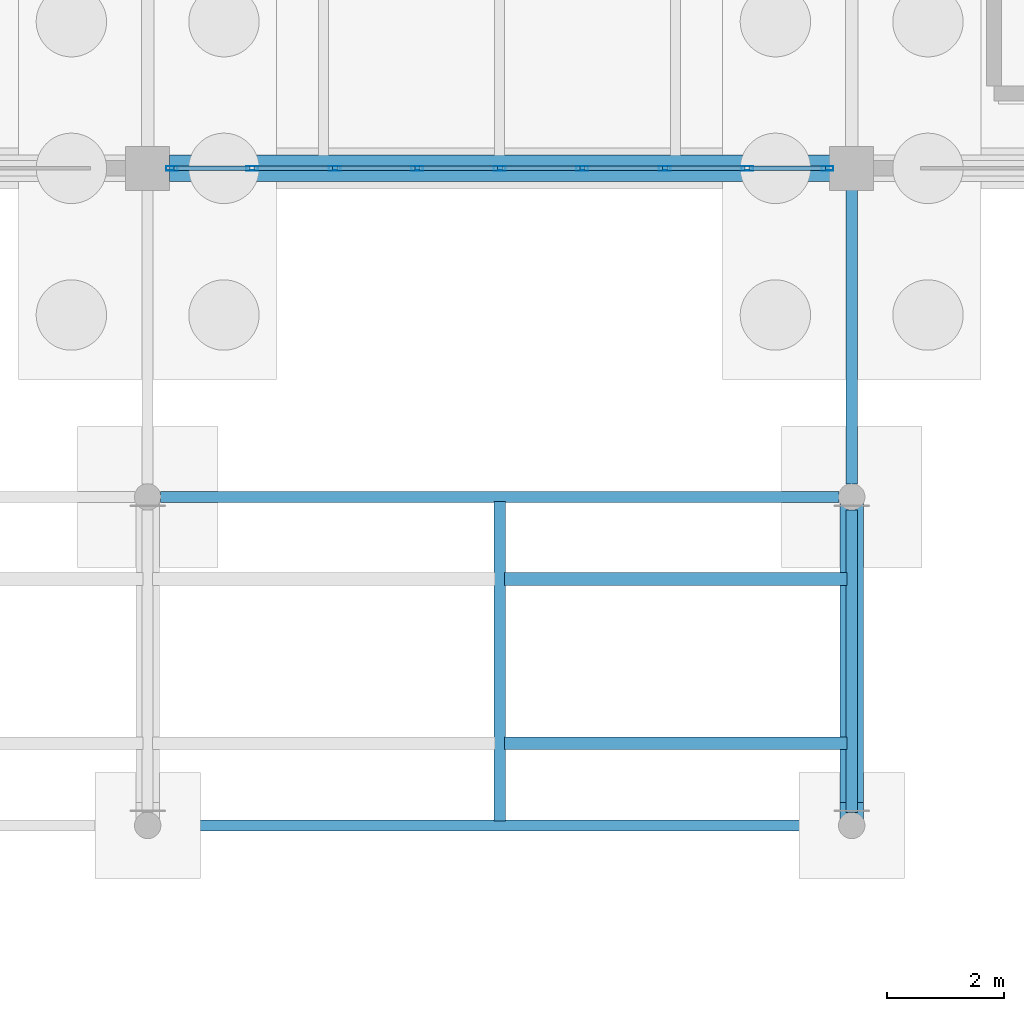
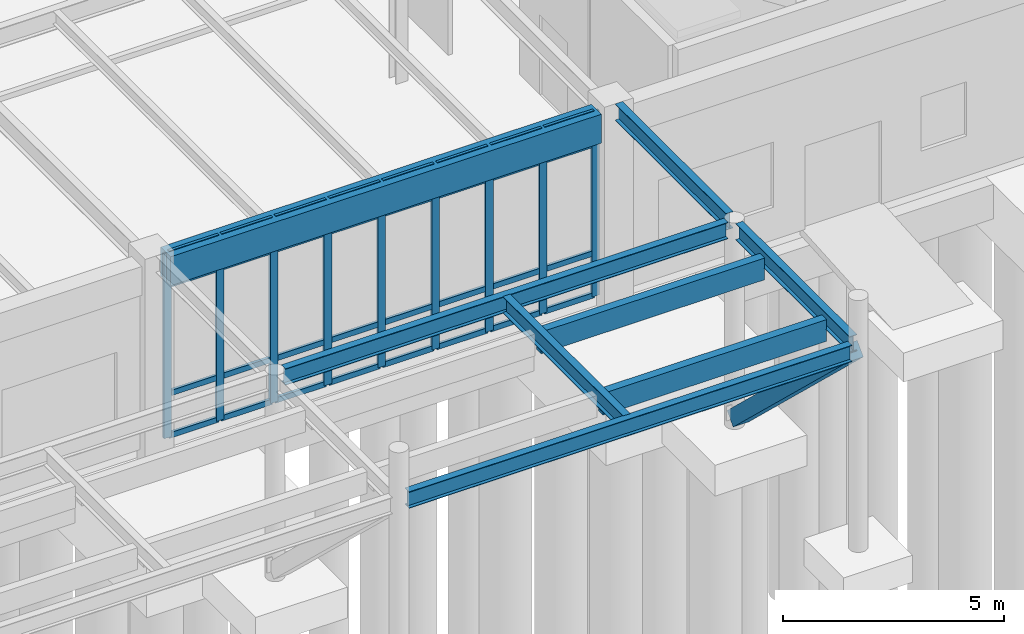
# One storey, part 60 of 188: 44 members, 6 beams, 1 element without a shape of its own.
"""IFC4 building model written with IfcOpenShell, lengths in metres."""

from ifc_helpers import new_model, si_unit, direction, frame, origin, origin_2d, place, context, subcontext, project, spatial, rectangle, hollow_rectangle, i_section, extrude, material, layer, layer_set, material_profile, profile_set, type_object, element, aggregate, save


model = new_model("IFC4")

# Units and contexts
model_context = context("Model", 3, precision=1e-05, world=origin(), true_north=direction((0.0, 1.0)))
body_context = subcontext(model_context, "Body", "Model", "MODEL_VIEW")
ifc_project = project(units=[si_unit("LENGTHUNIT", "METRE"), si_unit("AREAUNIT", "SQUARE_METRE"), si_unit("VOLUMEUNIT", "CUBIC_METRE"), si_unit("PLANEANGLEUNIT", "RADIAN"), si_unit("MASSUNIT", "GRAM", prefix="KILO")], contexts=[model_context])

# Site, building, storey
site_placement = place(None, origin())
site = spatial("IfcSite", under=ifc_project, at=site_placement, CompositionType="ELEMENT")
building_placement = place(site_placement, origin())
building = spatial("IfcBuilding", under=site, at=building_placement, Name="Pandanus Reach Market Hall", CompositionType="ELEMENT")
storey_placement = place(building_placement, origin())
storey = spatial("IfcBuildingStorey", under=building, at=storey_placement, Name="L00", CompositionType="ELEMENT", Elevation=0.0)

# Beams
ifc_material_1 = material(Name="Concrete N40 (40 MPa)", Category="concrete")
ifc_material_profile_1 = material_profile(ifc_material_1, rectangle(XDim=0.449951171875, YDim=0.800048828125, at=origin_2d()), Name="RC450x800", Category="LoadBearing")
ifc_profile_set_1 = profile_set([ifc_material_profile_1], Name="Concrete N40 (40 MPa)")
beam_type_1 = type_object("IfcBeamType", Name="BM-RC450-E", PredefinedType="SPANDREL", material=ifc_profile_set_1)
beam_1_placement = place(storey_placement, frame((108.373046875, 28.800048828125, 4.719970703125), z_axis=(1.0, 0.0, 0.0), x_axis=(0.0, 1.0, 0.0)))
element("IfcBeam", 1, at=beam_1_placement, inside=storey, type_object=beam_type_1, Name="Framing beam BM-RC450-E L00.1043", PredefinedType="SPANDREL", context=body_context, shape_type="SweptSolid", body=[
    extrude(rectangle(XDim=0.449951171875, YDim=0.800048828125, at=origin_2d()), origin(), (0.0, 0.0, 1.0), 11.25390625),
])
ifc_material_2 = material(Name="Steel Grade 350 (350 MPa)", Category="steel")
ifc_material_profile_2 = material_profile(ifc_material_2, i_section(OverallWidth=0.18994140625, OverallDepth=0.45703125, WebThickness=0.009033203125, FlangeThickness=0.014404296875, at=origin_2d()), Name="460UB74.6", Category="LoadBearing")
ifc_profile_set_2 = profile_set([ifc_material_profile_2], Name="Steel Grade 350 (350 MPa)")
beam_type_2 = type_object("IfcBeamType", Name="BM-UB460-E", PredefinedType="BEAM", material=ifc_profile_set_2)
beam_2_placement = place(storey_placement, frame((120.0, 17.820068359375, 5.169921875), z_axis=(0.0, 1.0, 0.0), x_axis=(-1.0, 0.0, 0.0)))
element("IfcBeam", 2, at=beam_2_placement, inside=storey, type_object=beam_type_2, Name="Forecourt canopy beam C6A", PredefinedType="BEAM", context=body_context, shape_type="SweptSolid", body=[
    extrude(i_section(OverallWidth=0.18994140625, OverallDepth=0.45703125, WebThickness=0.009033203125, FlangeThickness=0.014404296875, at=origin_2d()), origin(), (0.0, 0.0, 1.0), 5.159912109375),
])
beam_3_placement = place(storey_placement, frame((120.0, 23.419921875, 5.169921875), z_axis=(0.0, 1.0, 0.0), x_axis=(-1.0, 0.0, 0.0)))
element("IfcBeam", 3, at=beam_3_placement, inside=storey, type_object=beam_type_2, Name="Forecourt canopy tie beam C6B", PredefinedType="BEAM", context=body_context, shape_type="SweptSolid", body=[
    extrude(i_section(OverallWidth=0.18994140625, OverallDepth=0.45703125, WebThickness=0.009033203125, FlangeThickness=0.014404296875, at=origin_2d()), origin(), (0.0, 0.0, 1.0), 5.010009765625),
])
for number, where, z_axis, x_axis, name in (
    (4, (108.219970703125, 17.60009765625, 5.169921875), (1.0, 0.0, 0.0), (0.0, 1.0, 0.0), "Forecourt canopy front girder C5"),
    (5, (108.219970703125, 23.199951171875, 5.169921875), (1.0, 0.0, 0.0), (0.0, 1.0, 0.0), "Forecourt canopy spine girder C5"),
):
    element("IfcBeam", number, at=place(storey_placement, frame(where, z_axis=z_axis, x_axis=x_axis)), inside=storey, type_object=beam_type_2, Name=name, PredefinedType="BEAM", context=body_context, shape_type="SweptSolid", body=[
        extrude(i_section(OverallWidth=0.18994140625, OverallDepth=0.45703125, WebThickness=0.009033203125, FlangeThickness=0.014404296875, at=origin_2d()), origin(), (0.0, 0.0, 1.0), 11.56005859375),
    ])
beam_4_placement = place(storey_placement, frame((114.0, 17.679931640625, 5.169921875), z_axis=(0.0, 1.0, 0.0), x_axis=(-1.0, 0.0, 0.0)))
element("IfcBeam", 6, at=beam_4_placement, inside=storey, type_object=beam_type_2, Name="Forecourt canopy valley girder C5", PredefinedType="BEAM", context=body_context, shape_type="SweptSolid", body=[
    extrude(i_section(OverallWidth=0.18994140625, OverallDepth=0.45703125, WebThickness=0.009033203125, FlangeThickness=0.014404296875, at=origin_2d()), origin(), (0.0, 0.0, 1.0), 5.440185546875),
])

# Curtain wall, members
ifc_material_3 = material(Name="Bronze anodised aluminium and low-E glass", Category="aluminium")
ifc_layer = layer(ifc_material_3, 0.199951171875, Name="CW-01")
ifc_layer_set = layer_set([ifc_layer], Name="Bronze anodised aluminium and low-E glass")
curtain_wall_type = type_object("IfcCurtainWallType", Name="CW-01", PredefinedType="NOTDEFINED", material=ifc_layer_set)
curtain_wall_placement = place(storey_placement, origin())
curtain_wall = element("IfcCurtainWall", 7, at=curtain_wall_placement, inside=storey, type_object=curtain_wall_type, Name="Glazed curtain wall CW-01 CW-0007", PredefinedType="NOTDEFINED")
ifc_material_4 = material(Name="Bronze anodised aluminium", Category="aluminium")
ifc_material_profile_3 = material_profile(ifc_material_4, hollow_rectangle(XDim=0.074951171875, YDim=0.199951171875, WallThickness=0.00439453125, at=origin_2d()), Name="ALU75x200", Category="LoadBearing")
ifc_profile_set_3 = profile_set([ifc_material_profile_3], Name="Bronze anodised aluminium")
member_type_1 = type_object("IfcMemberType", Name="CW-M2", PredefinedType="MULLION", material=ifc_profile_set_3)
member_1_placement = place(storey_placement, frame((108.41259765625, 28.800048828125, 0.0), z_axis=(0.0, 0.0, 1.0), x_axis=(0.0, 1.0, 0.0)))
member_1 = element("IfcMember", 8, at=member_1_placement, type_object=member_type_1, Name="CW-01 mullion 1", PredefinedType="MULLION", context=body_context, shape_type="SweptSolid", body=[
    extrude(hollow_rectangle(XDim=0.074951171875, YDim=0.199951171875, WallThickness=0.00439453125, at=origin_2d()), origin(), (0.0, 0.0, 1.0), 5.10009765625),
])
member_2_placement = place(storey_placement, frame((109.78125, 28.800048828125, 0.0), z_axis=(0.0, 0.0, 1.0), x_axis=(0.0, 1.0, 0.0)))
member_2 = element("IfcMember", 9, at=member_2_placement, type_object=member_type_1, Name="CW-01 mullion 2", PredefinedType="MULLION", context=body_context, shape_type="SweptSolid", body=[
    extrude(hollow_rectangle(XDim=0.074951171875, YDim=0.199951171875, WallThickness=0.00439453125, at=origin_2d()), origin(), (0.0, 0.0, 1.0), 5.10009765625),
])
member_3_placement = place(storey_placement, frame((111.1875, 28.800048828125, 0.0), z_axis=(0.0, 0.0, 1.0), x_axis=(0.0, 1.0, 0.0)))
member_3 = element("IfcMember", 10, at=member_3_placement, type_object=member_type_1, Name="CW-01 mullion 3", PredefinedType="MULLION", context=body_context, shape_type="SweptSolid", body=[
    extrude(hollow_rectangle(XDim=0.074951171875, YDim=0.199951171875, WallThickness=0.00439453125, at=origin_2d()), origin(), (0.0, 0.0, 1.0), 5.10009765625),
])
member_4_placement = place(storey_placement, frame((112.59375, 28.800048828125, 0.0), z_axis=(0.0, 0.0, 1.0), x_axis=(0.0, 1.0, 0.0)))
member_4 = element("IfcMember", 11, at=member_4_placement, type_object=member_type_1, Name="CW-01 mullion 4", PredefinedType="MULLION", context=body_context, shape_type="SweptSolid", body=[
    extrude(hollow_rectangle(XDim=0.074951171875, YDim=0.199951171875, WallThickness=0.00439453125, at=origin_2d()), origin(), (0.0, 0.0, 1.0), 5.10009765625),
])
member_5_placement = place(storey_placement, frame((114.0, 28.800048828125, 0.0), z_axis=(0.0, 0.0, 1.0), x_axis=(0.0, 1.0, 0.0)))
member_5 = element("IfcMember", 12, at=member_5_placement, type_object=member_type_1, Name="CW-01 mullion 5", PredefinedType="MULLION", context=body_context, shape_type="SweptSolid", body=[
    extrude(hollow_rectangle(XDim=0.074951171875, YDim=0.199951171875, WallThickness=0.00439453125, at=origin_2d()), origin(), (0.0, 0.0, 1.0), 5.10009765625),
])
member_6_placement = place(storey_placement, frame((115.40625, 28.800048828125, 0.0), z_axis=(0.0, 0.0, 1.0), x_axis=(0.0, 1.0, 0.0)))
member_6 = element("IfcMember", 13, at=member_6_placement, type_object=member_type_1, Name="CW-01 mullion 6", PredefinedType="MULLION", context=body_context, shape_type="SweptSolid", body=[
    extrude(hollow_rectangle(XDim=0.074951171875, YDim=0.199951171875, WallThickness=0.00439453125, at=origin_2d()), origin(), (0.0, 0.0, 1.0), 5.10009765625),
])
member_7_placement = place(storey_placement, frame((116.8125, 28.800048828125, 0.0), z_axis=(0.0, 0.0, 1.0), x_axis=(0.0, 1.0, 0.0)))
member_7 = element("IfcMember", 14, at=member_7_placement, type_object=member_type_1, Name="CW-01 mullion 7", PredefinedType="MULLION", context=body_context, shape_type="SweptSolid", body=[
    extrude(hollow_rectangle(XDim=0.074951171875, YDim=0.199951171875, WallThickness=0.00439453125, at=origin_2d()), origin(), (0.0, 0.0, 1.0), 5.10009765625),
])
member_8_placement = place(storey_placement, frame((118.21875, 28.800048828125, 0.0), z_axis=(0.0, 0.0, 1.0), x_axis=(0.0, 1.0, 0.0)))
member_8 = element("IfcMember", 15, at=member_8_placement, type_object=member_type_1, Name="CW-01 mullion 8", PredefinedType="MULLION", context=body_context, shape_type="SweptSolid", body=[
    extrude(hollow_rectangle(XDim=0.074951171875, YDim=0.199951171875, WallThickness=0.00439453125, at=origin_2d()), origin(), (0.0, 0.0, 1.0), 5.10009765625),
])
member_9_placement = place(storey_placement, frame((119.58740234375, 28.800048828125, 0.0), z_axis=(0.0, 0.0, 1.0), x_axis=(0.0, 1.0, 0.0)))
member_9 = element("IfcMember", 16, at=member_9_placement, type_object=member_type_1, Name="CW-01 mullion 9", PredefinedType="MULLION", context=body_context, shape_type="SweptSolid", body=[
    extrude(hollow_rectangle(XDim=0.074951171875, YDim=0.199951171875, WallThickness=0.00439453125, at=origin_2d()), origin(), (0.0, 0.0, 1.0), 5.10009765625),
])
ifc_material_profile_4 = material_profile(ifc_material_4, hollow_rectangle(XDim=0.074951171875, YDim=0.14990234375, WallThickness=0.00439453125, at=origin_2d()), Name="ALU75x150", Category="LoadBearing")
ifc_profile_set_4 = profile_set([ifc_material_profile_4], Name="Bronze anodised aluminium")
member_type_2 = type_object("IfcMemberType", Name="CW-T2", PredefinedType="USERDEFINED", material=ifc_profile_set_4)
member_10_placement = place(storey_placement, frame((108.449951171875, 28.800048828125, 0.03759765625), z_axis=(1.0, 0.0, 0.0), x_axis=(0.0, 1.0, 0.0)))
member_10 = element("IfcMember", 17, at=member_10_placement, type_object=member_type_2, Name="CW-01 transom 1.1", ObjectType="TRANSOM", PredefinedType="USERDEFINED", context=body_context, shape_type="SweptSolid", body=[
    extrude(hollow_rectangle(XDim=0.074951171875, YDim=0.14990234375, WallThickness=0.00439453125, at=origin_2d()), origin(), (0.0, 0.0, 1.0), 1.293701171875),
])
member_11_placement = place(storey_placement, frame((108.449951171875, 28.800048828125, 1.199951171875), z_axis=(1.0, 0.0, 0.0), x_axis=(0.0, 1.0, 0.0)))
member_11 = element("IfcMember", 18, at=member_11_placement, type_object=member_type_2, Name="CW-01 transom 1.2", ObjectType="TRANSOM", PredefinedType="USERDEFINED", context=body_context, shape_type="SweptSolid", body=[
    extrude(hollow_rectangle(XDim=0.074951171875, YDim=0.14990234375, WallThickness=0.00439453125, at=origin_2d()), origin(), (0.0, 0.0, 1.0), 1.293701171875),
])
member_12_placement = place(storey_placement, frame((108.449951171875, 28.800048828125, 4.199951171875), z_axis=(1.0, 0.0, 0.0), x_axis=(0.0, 1.0, 0.0)))
member_12 = element("IfcMember", 19, at=member_12_placement, type_object=member_type_2, Name="CW-01 transom 1.3", ObjectType="TRANSOM", PredefinedType="USERDEFINED", context=body_context, shape_type="SweptSolid", body=[
    extrude(hollow_rectangle(XDim=0.074951171875, YDim=0.14990234375, WallThickness=0.00439453125, at=origin_2d()), origin(), (0.0, 0.0, 1.0), 1.293701171875),
])
member_13_placement = place(storey_placement, frame((108.449951171875, 28.800048828125, 5.0625), z_axis=(1.0, 0.0, 0.0), x_axis=(0.0, 1.0, 0.0)))
member_13 = element("IfcMember", 20, at=member_13_placement, type_object=member_type_2, Name="CW-01 transom 1.4", ObjectType="TRANSOM", PredefinedType="USERDEFINED", context=body_context, shape_type="SweptSolid", body=[
    extrude(hollow_rectangle(XDim=0.074951171875, YDim=0.14990234375, WallThickness=0.00439453125, at=origin_2d()), origin(), (0.0, 0.0, 1.0), 1.293701171875),
])
member_14_placement = place(storey_placement, frame((109.81884765625, 28.800048828125, 0.03759765625), z_axis=(1.0, 0.0, 0.0), x_axis=(0.0, 1.0, 0.0)))
member_14 = element("IfcMember", 21, at=member_14_placement, type_object=member_type_2, Name="CW-01 transom 2.1", ObjectType="TRANSOM", PredefinedType="USERDEFINED", context=body_context, shape_type="SweptSolid", body=[
    extrude(hollow_rectangle(XDim=0.074951171875, YDim=0.14990234375, WallThickness=0.00439453125, at=origin_2d()), origin(), (0.0, 0.0, 1.0), 1.3310546875),
])
member_15_placement = place(storey_placement, frame((109.81884765625, 28.800048828125, 1.199951171875), z_axis=(1.0, 0.0, 0.0), x_axis=(0.0, 1.0, 0.0)))
member_15 = element("IfcMember", 22, at=member_15_placement, type_object=member_type_2, Name="CW-01 transom 2.2", ObjectType="TRANSOM", PredefinedType="USERDEFINED", context=body_context, shape_type="SweptSolid", body=[
    extrude(hollow_rectangle(XDim=0.074951171875, YDim=0.14990234375, WallThickness=0.00439453125, at=origin_2d()), origin(), (0.0, 0.0, 1.0), 1.3310546875),
])
member_16_placement = place(storey_placement, frame((109.81884765625, 28.800048828125, 4.199951171875), z_axis=(1.0, 0.0, 0.0), x_axis=(0.0, 1.0, 0.0)))
member_16 = element("IfcMember", 23, at=member_16_placement, type_object=member_type_2, Name="CW-01 transom 2.3", ObjectType="TRANSOM", PredefinedType="USERDEFINED", context=body_context, shape_type="SweptSolid", body=[
    extrude(hollow_rectangle(XDim=0.074951171875, YDim=0.14990234375, WallThickness=0.00439453125, at=origin_2d()), origin(), (0.0, 0.0, 1.0), 1.3310546875),
])
member_17_placement = place(storey_placement, frame((109.81884765625, 28.800048828125, 5.0625), z_axis=(1.0, 0.0, 0.0), x_axis=(0.0, 1.0, 0.0)))
member_17 = element("IfcMember", 24, at=member_17_placement, type_object=member_type_2, Name="CW-01 transom 2.4", ObjectType="TRANSOM", PredefinedType="USERDEFINED", context=body_context, shape_type="SweptSolid", body=[
    extrude(hollow_rectangle(XDim=0.074951171875, YDim=0.14990234375, WallThickness=0.00439453125, at=origin_2d()), origin(), (0.0, 0.0, 1.0), 1.3310546875),
])
member_18_placement = place(storey_placement, frame((111.22509765625, 28.800048828125, 0.03759765625), z_axis=(1.0, 0.0, 0.0), x_axis=(0.0, 1.0, 0.0)))
member_18 = element("IfcMember", 25, at=member_18_placement, type_object=member_type_2, Name="CW-01 transom 3.1", ObjectType="TRANSOM", PredefinedType="USERDEFINED", context=body_context, shape_type="SweptSolid", body=[
    extrude(hollow_rectangle(XDim=0.074951171875, YDim=0.14990234375, WallThickness=0.00439453125, at=origin_2d()), origin(), (0.0, 0.0, 1.0), 1.3310546875),
])
member_19_placement = place(storey_placement, frame((111.22509765625, 28.800048828125, 1.199951171875), z_axis=(1.0, 0.0, 0.0), x_axis=(0.0, 1.0, 0.0)))
member_19 = element("IfcMember", 26, at=member_19_placement, type_object=member_type_2, Name="CW-01 transom 3.2", ObjectType="TRANSOM", PredefinedType="USERDEFINED", context=body_context, shape_type="SweptSolid", body=[
    extrude(hollow_rectangle(XDim=0.074951171875, YDim=0.14990234375, WallThickness=0.00439453125, at=origin_2d()), origin(), (0.0, 0.0, 1.0), 1.3310546875),
])
member_20_placement = place(storey_placement, frame((111.22509765625, 28.800048828125, 4.199951171875), z_axis=(1.0, 0.0, 0.0), x_axis=(0.0, 1.0, 0.0)))
member_20 = element("IfcMember", 27, at=member_20_placement, type_object=member_type_2, Name="CW-01 transom 3.3", ObjectType="TRANSOM", PredefinedType="USERDEFINED", context=body_context, shape_type="SweptSolid", body=[
    extrude(hollow_rectangle(XDim=0.074951171875, YDim=0.14990234375, WallThickness=0.00439453125, at=origin_2d()), origin(), (0.0, 0.0, 1.0), 1.3310546875),
])
member_21_placement = place(storey_placement, frame((111.22509765625, 28.800048828125, 5.0625), z_axis=(1.0, 0.0, 0.0), x_axis=(0.0, 1.0, 0.0)))
member_21 = element("IfcMember", 28, at=member_21_placement, type_object=member_type_2, Name="CW-01 transom 3.4", ObjectType="TRANSOM", PredefinedType="USERDEFINED", context=body_context, shape_type="SweptSolid", body=[
    extrude(hollow_rectangle(XDim=0.074951171875, YDim=0.14990234375, WallThickness=0.00439453125, at=origin_2d()), origin(), (0.0, 0.0, 1.0), 1.3310546875),
])
member_22_placement = place(storey_placement, frame((112.63134765625, 28.800048828125, 0.03759765625), z_axis=(1.0, 0.0, 0.0), x_axis=(0.0, 1.0, 0.0)))
member_22 = element("IfcMember", 29, at=member_22_placement, type_object=member_type_2, Name="CW-01 transom 4.1", ObjectType="TRANSOM", PredefinedType="USERDEFINED", context=body_context, shape_type="SweptSolid", body=[
    extrude(hollow_rectangle(XDim=0.074951171875, YDim=0.14990234375, WallThickness=0.00439453125, at=origin_2d()), origin(), (0.0, 0.0, 1.0), 1.3310546875),
])
member_23_placement = place(storey_placement, frame((112.63134765625, 28.800048828125, 1.199951171875), z_axis=(1.0, 0.0, 0.0), x_axis=(0.0, 1.0, 0.0)))
member_23 = element("IfcMember", 30, at=member_23_placement, type_object=member_type_2, Name="CW-01 transom 4.2", ObjectType="TRANSOM", PredefinedType="USERDEFINED", context=body_context, shape_type="SweptSolid", body=[
    extrude(hollow_rectangle(XDim=0.074951171875, YDim=0.14990234375, WallThickness=0.00439453125, at=origin_2d()), origin(), (0.0, 0.0, 1.0), 1.3310546875),
])
member_24_placement = place(storey_placement, frame((112.63134765625, 28.800048828125, 4.199951171875), z_axis=(1.0, 0.0, 0.0), x_axis=(0.0, 1.0, 0.0)))
member_24 = element("IfcMember", 31, at=member_24_placement, type_object=member_type_2, Name="CW-01 transom 4.3", ObjectType="TRANSOM", PredefinedType="USERDEFINED", context=body_context, shape_type="SweptSolid", body=[
    extrude(hollow_rectangle(XDim=0.074951171875, YDim=0.14990234375, WallThickness=0.00439453125, at=origin_2d()), origin(), (0.0, 0.0, 1.0), 1.3310546875),
])
member_25_placement = place(storey_placement, frame((112.63134765625, 28.800048828125, 5.0625), z_axis=(1.0, 0.0, 0.0), x_axis=(0.0, 1.0, 0.0)))
member_25 = element("IfcMember", 32, at=member_25_placement, type_object=member_type_2, Name="CW-01 transom 4.4", ObjectType="TRANSOM", PredefinedType="USERDEFINED", context=body_context, shape_type="SweptSolid", body=[
    extrude(hollow_rectangle(XDim=0.074951171875, YDim=0.14990234375, WallThickness=0.00439453125, at=origin_2d()), origin(), (0.0, 0.0, 1.0), 1.3310546875),
])
member_26_placement = place(storey_placement, frame((114.03759765625, 28.800048828125, 0.03759765625), z_axis=(1.0, 0.0, 0.0), x_axis=(0.0, 1.0, 0.0)))
member_26 = element("IfcMember", 33, at=member_26_placement, type_object=member_type_2, Name="CW-01 transom 5.1", ObjectType="TRANSOM", PredefinedType="USERDEFINED", context=body_context, shape_type="SweptSolid", body=[
    extrude(hollow_rectangle(XDim=0.074951171875, YDim=0.14990234375, WallThickness=0.00439453125, at=origin_2d()), origin(), (0.0, 0.0, 1.0), 1.3310546875),
])
member_27_placement = place(storey_placement, frame((114.03759765625, 28.800048828125, 1.199951171875), z_axis=(1.0, 0.0, 0.0), x_axis=(0.0, 1.0, 0.0)))
member_27 = element("IfcMember", 34, at=member_27_placement, type_object=member_type_2, Name="CW-01 transom 5.2", ObjectType="TRANSOM", PredefinedType="USERDEFINED", context=body_context, shape_type="SweptSolid", body=[
    extrude(hollow_rectangle(XDim=0.074951171875, YDim=0.14990234375, WallThickness=0.00439453125, at=origin_2d()), origin(), (0.0, 0.0, 1.0), 1.3310546875),
])
member_28_placement = place(storey_placement, frame((114.03759765625, 28.800048828125, 4.199951171875), z_axis=(1.0, 0.0, 0.0), x_axis=(0.0, 1.0, 0.0)))
member_28 = element("IfcMember", 35, at=member_28_placement, type_object=member_type_2, Name="CW-01 transom 5.3", ObjectType="TRANSOM", PredefinedType="USERDEFINED", context=body_context, shape_type="SweptSolid", body=[
    extrude(hollow_rectangle(XDim=0.074951171875, YDim=0.14990234375, WallThickness=0.00439453125, at=origin_2d()), origin(), (0.0, 0.0, 1.0), 1.3310546875),
])
member_29_placement = place(storey_placement, frame((114.03759765625, 28.800048828125, 5.0625), z_axis=(1.0, 0.0, 0.0), x_axis=(0.0, 1.0, 0.0)))
member_29 = element("IfcMember", 36, at=member_29_placement, type_object=member_type_2, Name="CW-01 transom 5.4", ObjectType="TRANSOM", PredefinedType="USERDEFINED", context=body_context, shape_type="SweptSolid", body=[
    extrude(hollow_rectangle(XDim=0.074951171875, YDim=0.14990234375, WallThickness=0.00439453125, at=origin_2d()), origin(), (0.0, 0.0, 1.0), 1.3310546875),
])
member_30_placement = place(storey_placement, frame((115.44384765625, 28.800048828125, 0.03759765625), z_axis=(1.0, 0.0, 0.0), x_axis=(0.0, 1.0, 0.0)))
member_30 = element("IfcMember", 37, at=member_30_placement, type_object=member_type_2, Name="CW-01 transom 6.1", ObjectType="TRANSOM", PredefinedType="USERDEFINED", context=body_context, shape_type="SweptSolid", body=[
    extrude(hollow_rectangle(XDim=0.074951171875, YDim=0.14990234375, WallThickness=0.00439453125, at=origin_2d()), origin(), (0.0, 0.0, 1.0), 1.3310546875),
])
member_31_placement = place(storey_placement, frame((115.44384765625, 28.800048828125, 1.199951171875), z_axis=(1.0, 0.0, 0.0), x_axis=(0.0, 1.0, 0.0)))
member_31 = element("IfcMember", 38, at=member_31_placement, type_object=member_type_2, Name="CW-01 transom 6.2", ObjectType="TRANSOM", PredefinedType="USERDEFINED", context=body_context, shape_type="SweptSolid", body=[
    extrude(hollow_rectangle(XDim=0.074951171875, YDim=0.14990234375, WallThickness=0.00439453125, at=origin_2d()), origin(), (0.0, 0.0, 1.0), 1.3310546875),
])
member_32_placement = place(storey_placement, frame((115.44384765625, 28.800048828125, 4.199951171875), z_axis=(1.0, 0.0, 0.0), x_axis=(0.0, 1.0, 0.0)))
member_32 = element("IfcMember", 39, at=member_32_placement, type_object=member_type_2, Name="CW-01 transom 6.3", ObjectType="TRANSOM", PredefinedType="USERDEFINED", context=body_context, shape_type="SweptSolid", body=[
    extrude(hollow_rectangle(XDim=0.074951171875, YDim=0.14990234375, WallThickness=0.00439453125, at=origin_2d()), origin(), (0.0, 0.0, 1.0), 1.3310546875),
])
member_33_placement = place(storey_placement, frame((115.44384765625, 28.800048828125, 5.0625), z_axis=(1.0, 0.0, 0.0), x_axis=(0.0, 1.0, 0.0)))
member_33 = element("IfcMember", 40, at=member_33_placement, type_object=member_type_2, Name="CW-01 transom 6.4", ObjectType="TRANSOM", PredefinedType="USERDEFINED", context=body_context, shape_type="SweptSolid", body=[
    extrude(hollow_rectangle(XDim=0.074951171875, YDim=0.14990234375, WallThickness=0.00439453125, at=origin_2d()), origin(), (0.0, 0.0, 1.0), 1.3310546875),
])
member_34_placement = place(storey_placement, frame((116.85009765625, 28.800048828125, 0.03759765625), z_axis=(1.0, 0.0, 0.0), x_axis=(0.0, 1.0, 0.0)))
member_34 = element("IfcMember", 41, at=member_34_placement, type_object=member_type_2, Name="CW-01 transom 7.1", ObjectType="TRANSOM", PredefinedType="USERDEFINED", context=body_context, shape_type="SweptSolid", body=[
    extrude(hollow_rectangle(XDim=0.074951171875, YDim=0.14990234375, WallThickness=0.00439453125, at=origin_2d()), origin(), (0.0, 0.0, 1.0), 1.3310546875),
])
member_35_placement = place(storey_placement, frame((116.85009765625, 28.800048828125, 1.199951171875), z_axis=(1.0, 0.0, 0.0), x_axis=(0.0, 1.0, 0.0)))
member_35 = element("IfcMember", 42, at=member_35_placement, type_object=member_type_2, Name="CW-01 transom 7.2", ObjectType="TRANSOM", PredefinedType="USERDEFINED", context=body_context, shape_type="SweptSolid", body=[
    extrude(hollow_rectangle(XDim=0.074951171875, YDim=0.14990234375, WallThickness=0.00439453125, at=origin_2d()), origin(), (0.0, 0.0, 1.0), 1.3310546875),
])
member_36_placement = place(storey_placement, frame((116.85009765625, 28.800048828125, 4.199951171875), z_axis=(1.0, 0.0, 0.0), x_axis=(0.0, 1.0, 0.0)))
member_36 = element("IfcMember", 43, at=member_36_placement, type_object=member_type_2, Name="CW-01 transom 7.3", ObjectType="TRANSOM", PredefinedType="USERDEFINED", context=body_context, shape_type="SweptSolid", body=[
    extrude(hollow_rectangle(XDim=0.074951171875, YDim=0.14990234375, WallThickness=0.00439453125, at=origin_2d()), origin(), (0.0, 0.0, 1.0), 1.3310546875),
])
member_37_placement = place(storey_placement, frame((116.85009765625, 28.800048828125, 5.0625), z_axis=(1.0, 0.0, 0.0), x_axis=(0.0, 1.0, 0.0)))
member_37 = element("IfcMember", 44, at=member_37_placement, type_object=member_type_2, Name="CW-01 transom 7.4", ObjectType="TRANSOM", PredefinedType="USERDEFINED", context=body_context, shape_type="SweptSolid", body=[
    extrude(hollow_rectangle(XDim=0.074951171875, YDim=0.14990234375, WallThickness=0.00439453125, at=origin_2d()), origin(), (0.0, 0.0, 1.0), 1.3310546875),
])
member_38_placement = place(storey_placement, frame((118.25634765625, 28.800048828125, 0.03759765625), z_axis=(1.0, 0.0, 0.0), x_axis=(0.0, 1.0, 0.0)))
member_38 = element("IfcMember", 45, at=member_38_placement, type_object=member_type_2, Name="CW-01 transom 8.1", ObjectType="TRANSOM", PredefinedType="USERDEFINED", context=body_context, shape_type="SweptSolid", body=[
    extrude(hollow_rectangle(XDim=0.074951171875, YDim=0.14990234375, WallThickness=0.00439453125, at=origin_2d()), origin(), (0.0, 0.0, 1.0), 1.293701171875),
])
member_39_placement = place(storey_placement, frame((118.25634765625, 28.800048828125, 1.199951171875), z_axis=(1.0, 0.0, 0.0), x_axis=(0.0, 1.0, 0.0)))
member_39 = element("IfcMember", 46, at=member_39_placement, type_object=member_type_2, Name="CW-01 transom 8.2", ObjectType="TRANSOM", PredefinedType="USERDEFINED", context=body_context, shape_type="SweptSolid", body=[
    extrude(hollow_rectangle(XDim=0.074951171875, YDim=0.14990234375, WallThickness=0.00439453125, at=origin_2d()), origin(), (0.0, 0.0, 1.0), 1.293701171875),
])
member_40_placement = place(storey_placement, frame((118.25634765625, 28.800048828125, 4.199951171875), z_axis=(1.0, 0.0, 0.0), x_axis=(0.0, 1.0, 0.0)))
member_40 = element("IfcMember", 47, at=member_40_placement, type_object=member_type_2, Name="CW-01 transom 8.3", ObjectType="TRANSOM", PredefinedType="USERDEFINED", context=body_context, shape_type="SweptSolid", body=[
    extrude(hollow_rectangle(XDim=0.074951171875, YDim=0.14990234375, WallThickness=0.00439453125, at=origin_2d()), origin(), (0.0, 0.0, 1.0), 1.293701171875),
])
member_41_placement = place(storey_placement, frame((118.25634765625, 28.800048828125, 5.0625), z_axis=(1.0, 0.0, 0.0), x_axis=(0.0, 1.0, 0.0)))
member_41 = element("IfcMember", 48, at=member_41_placement, type_object=member_type_2, Name="CW-01 transom 8.4", ObjectType="TRANSOM", PredefinedType="USERDEFINED", context=body_context, shape_type="SweptSolid", body=[
    extrude(hollow_rectangle(XDim=0.074951171875, YDim=0.14990234375, WallThickness=0.00439453125, at=origin_2d()), origin(), (0.0, 0.0, 1.0), 1.293701171875),
])
aggregate(curtain_wall, [member_1, member_2, member_3, member_4, member_5, member_6, member_7, member_8, member_9, member_10, member_11, member_12, member_13, member_14, member_15, member_16, member_17, member_18, member_19, member_20, member_21, member_22, member_23, member_24, member_25, member_26, member_27, member_28, member_29, member_30, member_31, member_32, member_33, member_34, member_35, member_36, member_37, member_38, member_39, member_40, member_41])

# Members
ifc_material_5 = material(Name="Glulam timber GL17", Category="wood")
ifc_material_profile_5 = material_profile(ifc_material_5, rectangle(XDim=0.215087890625, YDim=0.60009765625, at=origin_2d()), Name="GL215x600", Category="LoadBearing")
ifc_profile_set_5 = profile_set([ifc_material_profile_5], Name="Glulam timber GL17")
member_type_3 = type_object("IfcMemberType", Name="PR-GL215-E", PredefinedType="PURLIN", material=ifc_profile_set_5)
for number, where, z_axis, x_axis, name in (
    (49, (114.080078125, 19.0, 4.919921875), (1.0, 0.0, 0.0), (0.0, 1.0, 0.0), "Canopy glulam purlin C5E"),
    (50, (114.080078125, 21.800048828125, 4.919921875), (1.0, 0.0, 0.0), (0.0, 1.0, 0.0), "Canopy glulam purlin C5E"),
):
    element("IfcMember", number, at=place(storey_placement, frame(where, z_axis=z_axis, x_axis=x_axis)), inside=storey, type_object=member_type_3, Name=name, PredefinedType="PURLIN", context=body_context, shape_type="SweptSolid", body=[
        extrude(rectangle(XDim=0.215087890625, YDim=0.60009765625, at=origin_2d()), origin(), (0.0, 0.0, 1.0), 5.83984375),
    ])
ifc_material_6 = material(Name="Concrete N50 (50 MPa)", Category="concrete")
ifc_material_profile_6 = material_profile(ifc_material_6, rectangle(XDim=0.39990234375, YDim=0.39990234375, at=origin_2d()), Name="RC400x400", Category="LoadBearing")
ifc_profile_set_6 = profile_set([ifc_material_profile_6], Name="Concrete N50 (50 MPa)")
member_type_4 = type_object("IfcMemberType", Name="VS-RC400-E", PredefinedType="STRUT", material=ifc_profile_set_6)
member_42_placement = place(storey_placement, frame((120.0, 23.050048828125, 0.0), z_axis=(0.0, -0.724303696682, 0.689481076587), x_axis=(1.0, 0.0, 0.0)))
element("IfcMember", 51, at=member_42_placement, inside=storey, type_object=member_type_4, Name="Forecourt canopy splayed V-strut C6", PredefinedType="STRUT", context=body_context, shape_type="SweptSolid", body=[
    extrude(rectangle(XDim=0.39990234375, YDim=0.39990234375, at=origin_2d()), origin(), (0.0, 0.0, 1.0), 7.17919921875),
])

save(model, "model.ifc")
